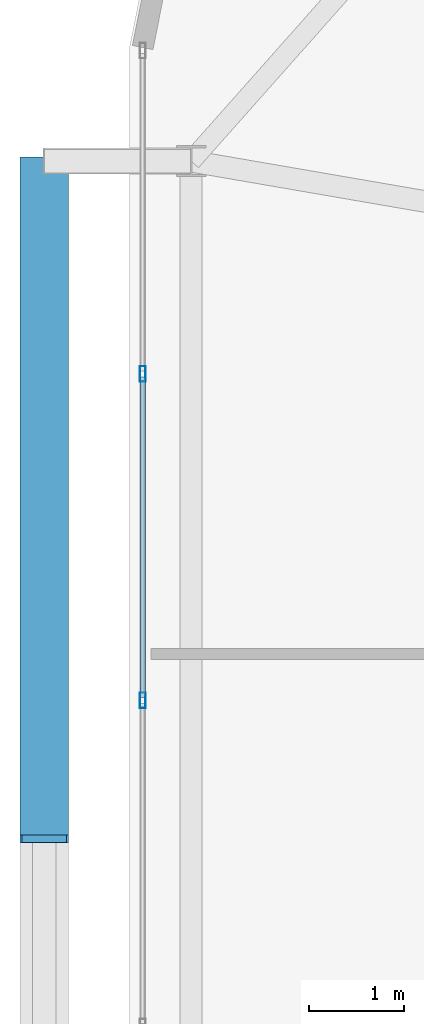
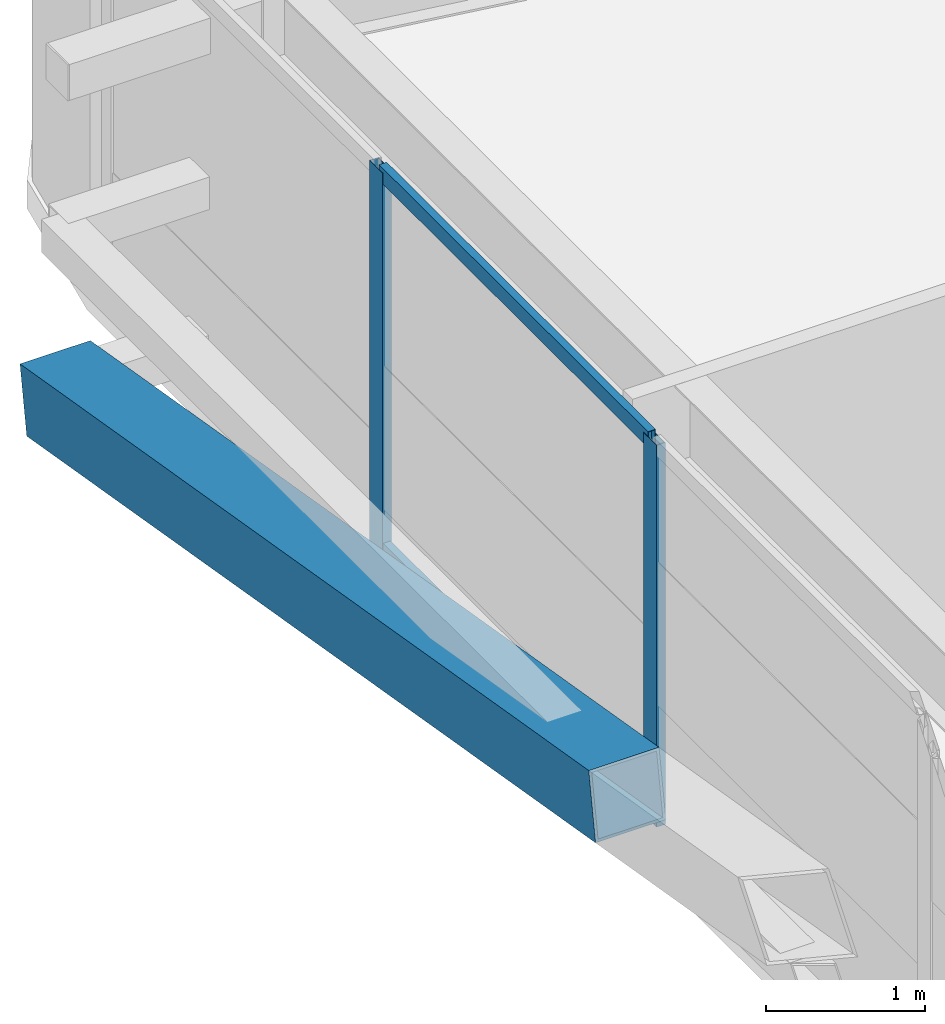
# One storey, part 18 of 59: 5 members, 1 element without a shape of its own.
"""IFC4 building model written with IfcOpenShell, lengths in metres."""

from ifc_helpers import new_model, si_unit, direction, frame, origin, origin_2d, place, context, subcontext, project, spatial, hollow_rectangle, extrude, source, transform, mapped, material, layer, layer_set, material_profile, profile_set, type_object, element, aggregate, save


model = new_model("IFC4")

# Units and contexts
model_context = context("Model", 3, precision=1e-05, world=origin(), true_north=direction((0.0, 1.0)))
body_context = subcontext(model_context, "Body", "Model", "MODEL_VIEW")
ifc_project = project(units=[si_unit("LENGTHUNIT", "METRE"), si_unit("AREAUNIT", "SQUARE_METRE"), si_unit("VOLUMEUNIT", "CUBIC_METRE"), si_unit("PLANEANGLEUNIT", "RADIAN"), si_unit("MASSUNIT", "GRAM", prefix="KILO")], contexts=[model_context])

# Site, building, storey
site_placement = place(None, origin())
site = spatial("IfcSite", under=ifc_project, at=site_placement, CompositionType="ELEMENT")
building_placement = place(site_placement, origin())
building = spatial("IfcBuilding", under=site, at=building_placement, Name="Taldren Reach Tower", CompositionType="ELEMENT")
storey_placement = place(building_placement, frame((0.0, 0.0, 48.300048828125)))
storey = spatial("IfcBuildingStorey", under=building, at=storey_placement, Name="L14", CompositionType="ELEMENT", Elevation=48.300048828125)

# Member
ifc_material_1 = material(Name="Steel Gr 450 (C450L0)", Category="steel")
ifc_material_profile_1 = material_profile(ifc_material_1, hollow_rectangle(XDim=0.510009765625, YDim=0.510009765625, WallThickness=0.02001953125, at=origin_2d()), Name="510x510x20.0SHS")
ifc_profile_set_1 = profile_set([ifc_material_profile_1], Name="Steel Gr 450 (C450L0)")
member_type_1 = type_object("IfcMemberType", Name="MB-EXO508", PredefinedType="BRACE", material=ifc_profile_set_1)
shared_shape_1 = source(origin(), body_context, "Body", "SweptSolid", [
    extrude(hollow_rectangle(XDim=0.510009765625, YDim=0.510009765625, WallThickness=0.02001953125, at=origin_2d()), origin(), (0.0, 0.0, 1.0), 7.252685546875),
])
member_1_placement = place(storey_placement, frame((4.10009765625, 34.300048828125, 0.219970703125), z_axis=(0.0, -0.985865800628, 0.167536930711), x_axis=(1.0, 0.0, 0.0)))
element("IfcMember", 1, at=member_1_placement, inside=storey, type_object=member_type_1, Name="Exoskeleton Diagrid Brace B1-W2 L14", PredefinedType="BRACE", context=body_context, shape_type="MappedRepresentation", body=[
    mapped(shared_shape_1, transform((0.0, 0.0, 0.0), scale=1.0)),
])

# Curtain wall, members
ifc_material_2 = material(Name="Aluminium and Low-E Glass Unitised System", Category="aluminium")
ifc_layer = layer(ifc_material_2, 0.159912109375)
ifc_layer_set = layer_set([ifc_layer], Name="Aluminium and Low-E Glass Unitised System")
curtain_wall_type = type_object("IfcCurtainWallType", Name="CW-SYS-2", PredefinedType="NOTDEFINED", material=ifc_layer_set)
curtain_wall_placement = place(storey_placement, origin())
curtain_wall = element("IfcCurtainWall", 2, at=curtain_wall_placement, inside=storey, type_object=curtain_wall_type, Name="Unitised curtain wall CW-L14-W", PredefinedType="NOTDEFINED")
ifc_material_3 = material(Name="Anodised Aluminium 6063-T6", Category="aluminium")
ifc_material_profile_2 = material_profile(ifc_material_3, hollow_rectangle(XDim=0.06494140625, YDim=0.1650390625, WallThickness=0.00390625, at=origin_2d()), Name="ALU-165x65x4RHS")
ifc_profile_set_2 = profile_set([ifc_material_profile_2], Name="Anodised Aluminium 6063-T6")
member_type_2 = type_object("IfcMemberType", Name="CW-MUL-165", PredefinedType="MULLION", material=ifc_profile_set_2)
shared_shape_2 = source(origin(), body_context, "Body", "SweptSolid", [
    extrude(hollow_rectangle(XDim=0.06494140625, YDim=0.1650390625, WallThickness=0.00390625, at=origin_2d()), origin(), (0.0, 0.0, 1.0), 2.929931640625),
])
member_2_placement = place(storey_placement, frame((5.139892578125, 32.0556640625, 0.0), z_axis=(0.0, 0.0, 1.0), x_axis=(1.0, 0.0, 0.0)))
member_2 = element("IfcMember", 3, at=member_2_placement, type_object=member_type_2, Name="CW-2 mullion 2", PredefinedType="MULLION", context=body_context, shape_type="MappedRepresentation", body=[
    mapped(shared_shape_2, transform((0.0, 0.0, 0.0), scale=1.0)),
])
member_3_placement = place(storey_placement, frame((5.139892578125, 28.611083984375, 0.0), z_axis=(0.0, 0.0, 1.0), x_axis=(1.0, 0.0, 0.0)))
member_3 = element("IfcMember", 4, at=member_3_placement, type_object=member_type_2, Name="CW-2 mullion 3", PredefinedType="MULLION", context=body_context, shape_type="MappedRepresentation", body=[
    mapped(shared_shape_2, transform((0.0, 0.0, 0.0), scale=1.0)),
])
ifc_material_profile_3 = material_profile(ifc_material_3, hollow_rectangle(XDim=0.054931640625, YDim=0.1201171875, WallThickness=0.0029296875, at=origin_2d()), Name="ALU-120x55x3RHS")
ifc_profile_set_3 = profile_set([ifc_material_profile_3], Name="Anodised Aluminium 6063-T6")
member_type_3 = type_object("IfcMemberType", Name="CW-TRN-135", PredefinedType="USERDEFINED", material=ifc_profile_set_3)
shared_shape_3 = source(origin(), body_context, "Body", "SweptSolid", [
    extrude(hollow_rectangle(XDim=0.054931640625, YDim=0.1201171875, WallThickness=0.0029296875, at=origin_2d()), origin(), (0.0, 0.0, 1.0), 3.37939453125),
])
member_4_placement = place(storey_placement, frame((5.139892578125, 32.02294921875, 0.02734375), z_axis=(0.0, -1.0, 0.0), x_axis=(1.0, 0.0, 0.0)))
member_4 = element("IfcMember", 5, at=member_4_placement, type_object=member_type_3, Name="CW-2 transom 2.1", ObjectType="TRANSOM", PredefinedType="USERDEFINED", context=body_context, shape_type="MappedRepresentation", body=[
    mapped(shared_shape_3, transform((0.0, 0.0, 0.0), scale=1.0)),
])
member_5_placement = place(storey_placement, frame((5.139892578125, 32.02294921875, 2.90234375), z_axis=(0.0, -1.0, 0.0), x_axis=(1.0, 0.0, 0.0)))
member_5 = element("IfcMember", 6, at=member_5_placement, type_object=member_type_3, Name="CW-2 transom 2.2", ObjectType="TRANSOM", PredefinedType="USERDEFINED", context=body_context, shape_type="MappedRepresentation", body=[
    mapped(shared_shape_3, transform((0.0, 0.0, 0.0), scale=1.0)),
])
aggregate(curtain_wall, [member_2, member_3, member_4, member_5])

save(model, "model.ifc")
